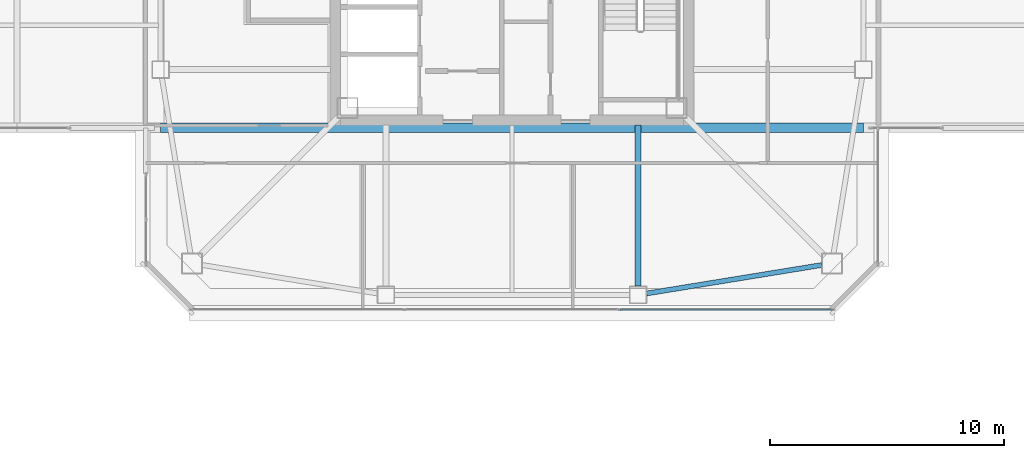
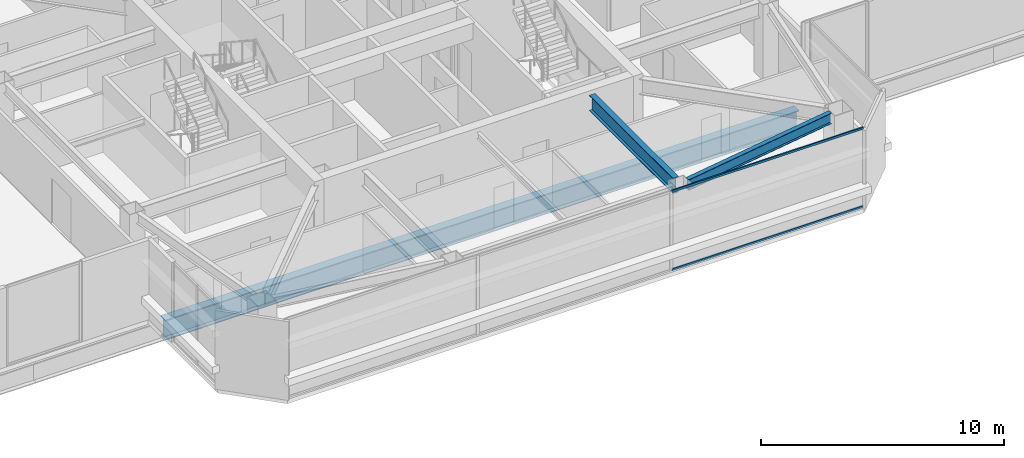
# One storey, part 10 of 51: 3 beams, 2 members, 1 element without a shape of its own.
"""IFC4 building model written with IfcOpenShell, lengths in metres."""

from ifc_helpers import new_model, si_unit, direction, frame, origin, origin_2d, place, context, subcontext, project, spatial, hollow_rectangle, i_section, extrude, material, material_profile, profile_set, type_object, element, aggregate, save


model = new_model("IFC4")

# Units and contexts
model_context = context("Model", 3, precision=1e-05, world=origin(), true_north=direction((0.0, 1.0)))
body_context = subcontext(model_context, "Body", "Model", "MODEL_VIEW")
ifc_project = project(units=[si_unit("LENGTHUNIT", "METRE"), si_unit("AREAUNIT", "SQUARE_METRE"), si_unit("VOLUMEUNIT", "CUBIC_METRE"), si_unit("PLANEANGLEUNIT", "RADIAN"), si_unit("MASSUNIT", "GRAM", prefix="KILO")], contexts=[model_context])

# Site, building, storey
site_placement = place(None, origin())
site = spatial("IfcSite", under=ifc_project, at=site_placement, CompositionType="ELEMENT")
building_placement = place(site_placement, origin())
building = spatial("IfcBuilding", under=site, at=building_placement, Name="Tashvorn Skyway Center", CompositionType="ELEMENT")
storey_placement = place(building_placement, frame((0.0, 0.0, 251.39990234375)))
storey = spatial("IfcBuildingStorey", under=building, at=storey_placement, Name="L68", CompositionType="ELEMENT", Elevation=251.39990234375)

# Beams
ifc_material_1 = material(Name="Steel ASTM A992 Grade 50", Category="steel")
ifc_material_profile_1 = material_profile(ifc_material_1, i_section(OverallWidth=0.26708984375, OverallDepth=0.779052734375, WebThickness=0.0166015625, FlangeThickness=0.030029296875, at=origin_2d()), Name="W30X148")
ifc_profile_set_1 = profile_set([ifc_material_profile_1], Name="Steel ASTM A992 Grade 50")
beam_type_1 = type_object("IfcBeamType", Name="BM-BEAM-W30X148", PredefinedType="BEAM", material=ifc_profile_set_1)
beam_1_placement = place(storey_placement, frame((47.39990234375, 17.320068359375, 3.390625), z_axis=(0.0, 1.0, 0.0), x_axis=(-1.0, 0.0, 0.0)))
element("IfcBeam", 1, at=beam_1_placement, inside=storey, type_object=beam_type_1, Name="Tower 1 L68 Primary Floor Girder FC-S2", PredefinedType="BEAM", context=body_context, shape_type="SweptSolid", body=[
    extrude(i_section(OverallWidth=0.26708984375, OverallDepth=0.779052734375, WebThickness=0.0166015625, FlangeThickness=0.030029296875, at=origin_2d()), origin(), (0.0, 0.0, 1.0), 6.89990234375),
])
ifc_material_2 = material(Name="Steel ASTM A913 Grade 65", Category="steel")
ifc_material_profile_2 = material_profile(ifc_material_2, i_section(OverallWidth=0.40087890625, OverallDepth=1.010986328125, WebThickness=0.023681640625, FlangeThickness=0.0419921875, at=origin_2d()), Name="W40X297")
ifc_profile_set_2 = profile_set([ifc_material_profile_2], Name="Steel ASTM A913 Grade 65")
beam_type_2 = type_object("IfcBeamType", Name="BM-BEAM-W40X297", PredefinedType="BEAM", material=ifc_profile_set_2)
beam_2_placement = place(storey_placement, frame((26.949951171875, 24.10009765625, -0.725341796875), z_axis=(1.0, 0.0, 0.0), x_axis=(0.0, 1.0, 0.0)))
element("IfcBeam", 2, at=beam_2_placement, inside=storey, type_object=beam_type_2, Name="Sky-Park Truss 1 Bottom Chord Panel 05", PredefinedType="BEAM", context=body_context, shape_type="SweptSolid", body=[
    extrude(i_section(OverallWidth=0.40087890625, OverallDepth=1.010986328125, WebThickness=0.023681640625, FlangeThickness=0.0419921875, at=origin_2d()), origin(), (0.0, 0.0, 1.0), 30.10009765625),
])
ifc_material_profile_3 = material_profile(ifc_material_1, i_section(OverallWidth=0.2109375, OverallDepth=0.5390625, WebThickness=0.01171875, FlangeThickness=0.018798828125, at=origin_2d()), Name="W21X73")
ifc_profile_set_3 = profile_set([ifc_material_profile_3], Name="Steel ASTM A992 Grade 50")
beam_type_3 = type_object("IfcBeamType", Name="BM-SPANDREL-W21X73", PredefinedType="SPANDREL", material=ifc_profile_set_3)
beam_3_placement = place(storey_placement, frame((47.76513671875, 17.009521484375, 3.510498046875), z_axis=(0.987032749583, 0.160519005885, 0.0), x_axis=(-0.160519005885, 0.987032749583, 0.0)))
element("IfcBeam", 3, at=beam_3_placement, inside=storey, type_object=beam_type_3, Name="Tower 1 L68 Spandrel Beam 03", PredefinedType="SPANDREL", context=body_context, shape_type="SweptSolid", body=[
    extrude(i_section(OverallWidth=0.2109375, OverallDepth=0.5390625, WebThickness=0.01171875, FlangeThickness=0.018798828125, at=origin_2d()), origin(), (0.0, 0.0, 1.0), 7.593994140625),
])

# Curtain wall, members
ifc_material_3 = material(Name="Thermally broken bronze-anodized aluminium 6063-T6", Category="aluminium")
curtain_wall_type = type_object("IfcCurtainWallType", Name="CW-CW-SKY", PredefinedType="NOTDEFINED", material=ifc_material_3)
curtain_wall_placement = place(storey_placement, origin())
curtain_wall = element("IfcCurtainWall", 4, at=curtain_wall_placement, inside=storey, type_object=curtain_wall_type, Name="Tower 1 L68 South Unitised Curtain Wall", PredefinedType="NOTDEFINED")
ifc_material_profile_4 = material_profile(ifc_material_3, hollow_rectangle(XDim=0.06494140625, YDim=0.10498046875, WallThickness=0.00390625, at=origin_2d()), Name="ALU-TRAN-65x105")
ifc_profile_set_4 = profile_set([ifc_material_profile_4], Name="Thermally broken bronze-anodized aluminium 6063-T6")
member_type = type_object("IfcMemberType", Name="CWT-CW-SKY", PredefinedType="USERDEFINED", material=ifc_profile_set_4)
member_1_placement = place(storey_placement, frame((55.715087890625, 16.320068359375, 0.03271484375), z_axis=(-1.0, 0.0, 0.0), x_axis=(0.0, -1.0, 0.0)))
member_1 = element("IfcMember", 5, at=member_1_placement, type_object=member_type, Name="CW-SKY transom 1.1", ObjectType="TRANSOM", PredefinedType="USERDEFINED", context=body_context, shape_type="SweptSolid", body=[
    extrude(hollow_rectangle(XDim=0.06494140625, YDim=0.10498046875, WallThickness=0.00390625, at=origin_2d()), origin(), (0.0, 0.0, 1.0), 9.08935546875),
])
member_2_placement = place(storey_placement, frame((55.715087890625, 16.320068359375, 3.967529296875), z_axis=(-1.0, 0.0, 0.0), x_axis=(0.0, -1.0, 0.0)))
member_2 = element("IfcMember", 6, at=member_2_placement, type_object=member_type, Name="CW-SKY transom 1.2", ObjectType="TRANSOM", PredefinedType="USERDEFINED", context=body_context, shape_type="SweptSolid", body=[
    extrude(hollow_rectangle(XDim=0.06494140625, YDim=0.10498046875, WallThickness=0.00390625, at=origin_2d()), origin(), (0.0, 0.0, 1.0), 9.08935546875),
])
aggregate(curtain_wall, [member_1, member_2])

save(model, "model.ifc")
